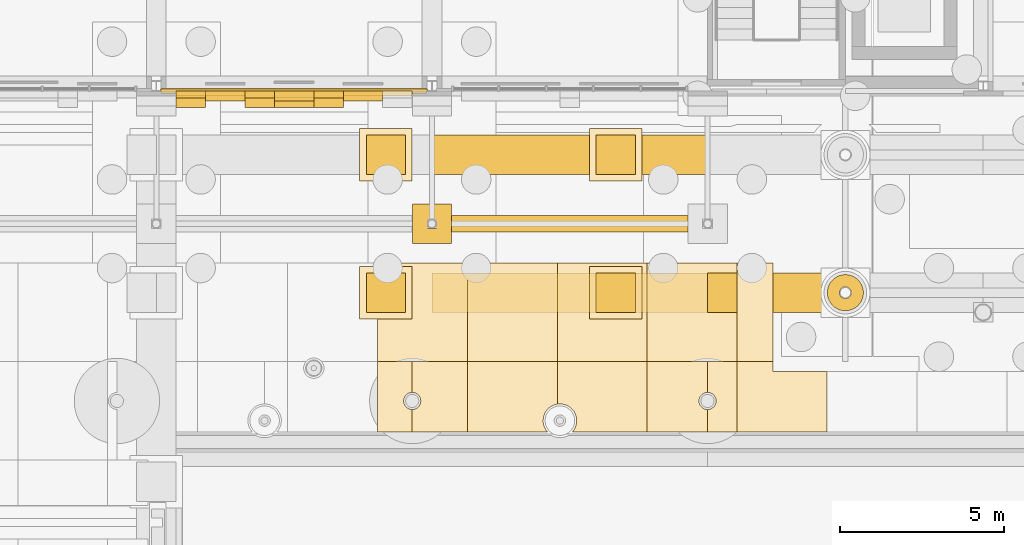
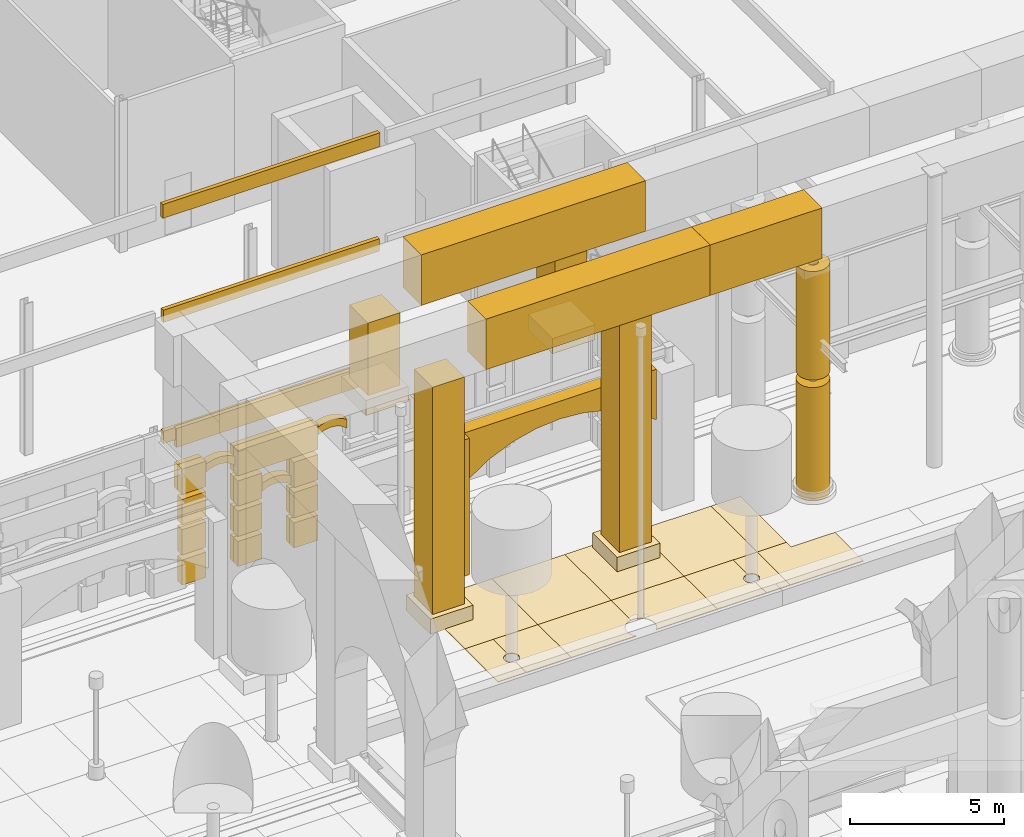
# One storey, part 118 of 222: 53 coverings.
"""IFC4 building model written with IfcOpenShell, lengths in metres."""

from ifc_helpers import new_model, si_unit, direction, frame, origin, origin_2d, place, context, subcontext, project, spatial, polyline, rectangle, hollow_rectangle, hollow_circle, outline, extrude, material, layer, layer_set, material_profile, profile_set, type_object, element, save


model = new_model("IFC4")

# Units and contexts
model_context = context("Model", 3, precision=1e-05, world=origin(), true_north=direction((0.0, 1.0)))
body_context = subcontext(model_context, "Body", "Model", "MODEL_VIEW")
ifc_project = project(units=[si_unit("LENGTHUNIT", "METRE"), si_unit("AREAUNIT", "SQUARE_METRE"), si_unit("VOLUMEUNIT", "CUBIC_METRE"), si_unit("PLANEANGLEUNIT", "RADIAN"), si_unit("MASSUNIT", "GRAM", prefix="KILO")], contexts=[model_context])

# Site, building, storey
site_placement = place(None, origin())
site = spatial("IfcSite", under=ifc_project, at=site_placement, CompositionType="ELEMENT")
building_placement = place(site_placement, origin())
building = spatial("IfcBuilding", under=site, at=building_placement, Name="Sava Quay Ferry Terminal", CompositionType="ELEMENT")
storey_placement = place(building_placement, origin())
storey = spatial("IfcBuildingStorey", under=building, at=storey_placement, Name="L00", CompositionType="ELEMENT", Elevation=0.0)

# Coverings
ifc_material_1 = material(Name="Limestone Mutalj ashlar", Category="masonry")
ifc_material_profile_1 = material_profile(ifc_material_1, hollow_rectangle(XDim=1.199951171875, YDim=1.199951171875, WallThickness=0.462890625, at=origin_2d()), Name="Arcade pier 1200")
ifc_profile_set_1 = profile_set([ifc_material_profile_1], Name="Limestone Mutalj ashlar")
covering_type_1 = type_object("IfcCoveringType", Name="Arcade pier 1200", PredefinedType="CLADDING", material=ifc_profile_set_1)
covering_1_placement = place(storey_placement, frame((33.60009765625, 21.0, 0.0), z_axis=(0.0, 0.0, 1.0), x_axis=(1.0, 0.0, 0.0)))
element("IfcCovering", 1, at=covering_1_placement, inside=storey, type_object=covering_type_1, Name="Arcade pier", PredefinedType="CLADDING", context=body_context, shape_type="SweptSolid", body=[
    extrude(hollow_rectangle(XDim=1.199951171875, YDim=1.199951171875, WallThickness=0.462890625, at=origin_2d()), origin(), (0.0, 0.0, 1.0), 5.39990234375),
])
ifc_material_2 = material(Name="Limestone Mutalj", Category="masonry")
ifc_layer_1 = layer(ifc_material_2, 0.300048828125)
ifc_layer_set_1 = layer_set([ifc_layer_1], Name="Limestone Mutalj")
covering_type_2 = type_object("IfcCoveringType", Name="Arch band 280", PredefinedType="MOLDING", material=ifc_layer_set_1)
covering_2_placement = place(storey_placement, frame((28.800048828125, 24.739990234375, 2.39990234375), z_axis=(0.0, -1.0, 0.0), x_axis=(0.766042844353, 0.0, 0.642789515017)))
element("IfcCovering", 2, at=covering_2_placement, inside=storey, type_object=covering_type_2, Name="Arch band", PredefinedType="MOLDING", context=body_context, shape_type="SweptSolid", body=[
    extrude(outline(polyline([(0.0, 0.0), (0.1564834757725232, 0.0), (0.29290987034562144, -0.02428279209876255), (0.4140838634817109, -0.06636278232810475), (0.522890396081421, -0.12356147789515273), (0.6202108720586751, -0.19406883930165053), (0.706733197838947, -0.2778246842578833), (0.781769466996763, -0.374889195053566), (0.8444382756181996, -0.4870724111869544), (0.8918546828026273, -0.6170528254509224), (0.9192140087876302, -0.771316031813653), (1.14849024937354, -0.4980766285911245), (1.098846716569099, -0.3703705716175788), (1.0380911714997962, -0.2562870425513622), (0.9674188801474346, -0.15364195753662468), (0.8881454730732465, -0.0616270455684631), (0.8002107679875174, 0.020445599778596002), (0.7043026713157206, 0.09263616079426751), (0.5997332766323826, 0.15488445518883656), (0.48656276622721817, 0.20650257653682963), (0.3634755095389949, 0.24668225383334366), (0.2292762405859099, 0.27323940322252854), (0.0, 0.0)])), origin(), (0.0, 0.0, -1.0), 0.300048828125),
])
covering_3_placement = place(storey_placement, frame((26.699951171875, 24.739990234375, 3.89990234375), z_axis=(0.0, -1.0, 0.0), x_axis=(0.766686318179, 0.0, 0.642021876199)))
element("IfcCovering", 3, at=covering_3_placement, inside=storey, type_object=covering_type_2, Name="Arch band", PredefinedType="MOLDING", context=body_context, shape_type="SweptSolid", body=[
    extrude(outline(polyline([(0.0, 0.0), (0.15667057654730215, -1.3877787807814457e-17), (0.29293404656438327, -0.02398938309786766), (0.414337308134961, -0.06610472040016957), (0.5230139006591377, -0.1230376562322823), (0.6205921316676617, -0.19360424362325043), (0.7070111298509724, -0.2771166367750381), (0.7823317665186302, -0.3742626814856812), (0.844925734139887, -0.48622632472613514), (0.8926594933146406, -0.6163159221710233), (0.919986145959173, -0.7703949027137791), (1.1489885778747033, -0.49692597916416525), (1.0994043308893047, -0.3694264559410845), (1.0383473638344554, -0.2552470970326215), (0.9677594714851411, -0.1528295969140227), (0.8882067570202763, -0.06073739267965583), (0.8003770662378966, 0.021090386980039788), (0.7042095278284416, 0.09334158786309998), (0.5997650131014718, 0.15532836417148896), (0.4863556762589516, 0.20698984459564596), (0.3634154141219664, 0.2468894662299388), (0.22900243191553027, 0.27346892354961383), (0.0, 0.0)])), origin(), (0.0, 0.0, -1.0), 0.300048828125),
])
covering_4_placement = place(storey_placement, frame((30.89990234375, 24.739990234375, 3.89990234375), z_axis=(0.0, -1.0, 0.0), x_axis=(0.766686318179, 0.0, 0.642021876199)))
element("IfcCovering", 4, at=covering_4_placement, inside=storey, type_object=covering_type_2, Name="Arch band", PredefinedType="MOLDING", context=body_context, shape_type="SweptSolid", body=[
    extrude(outline(polyline([(0.0, 0.0), (0.15667057654730215, -1.3877787807814457e-17), (0.29293404656438327, -0.02398938309786766), (0.414337308134961, -0.06610472040016957), (0.5230139006591377, -0.1230376562322823), (0.6205921316676617, -0.19360424362325043), (0.7071983091278714, -0.2772733803971569), (0.7823317665186302, -0.3742626814856812), (0.8451129134167863, -0.48638306834825396), (0.8926594933146406, -0.6163159221710233), (0.9201733252360722, -0.7705516463358979), (1.1491757571516024, -0.49708272278628407), (1.0994043308893047, -0.3694264559410845), (1.0385345431113546, -0.2554038406547403), (0.9677594714851411, -0.1528295969140227), (0.8883939362971753, -0.06089413630177459), (0.8003770662378966, 0.021090386980039788), (0.7042095278284416, 0.09334158786309998), (0.5997650131014718, 0.15532836417148896), (0.4863556762589516, 0.20698984459564596), (0.3634154141219664, 0.2468894662299388), (0.22900243191553027, 0.27346892354961383), (0.0, 0.0)])), origin(), (0.0, 0.0, -1.0), 0.300048828125),
])
ifc_material_3 = material(Name="Limestone Mutalj", Category="masonry")
ifc_layer_2 = layer(ifc_material_3, 0.5)
ifc_layer_set_2 = layer_set([ifc_layer_2], Name="Limestone Mutalj")
covering_type_3 = type_object("IfcCoveringType", Name="Arch spandrel 500", PredefinedType="CLADDING", material=ifc_layer_set_2)
covering_5_placement = place(storey_placement, frame((34.199951171875, 20.75, 3.39990234375), z_axis=(0.0, -1.0, 0.0), x_axis=(0.82736032354, 0.0, 0.561671518801)))
element("IfcCovering", 5, at=covering_5_placement, inside=storey, type_object=covering_type_3, Name="Arch spandrel", PredefinedType="CLADDING", context=body_context, shape_type="SweptSolid", body=[
    extrude(outline(polyline([(0.0, 0.0), (1.0879739561645294, 0.0), (2.0537030363386926, -0.1796359903397191), (2.9234433315614914, -0.5006665672218591), (3.7087783614579344, -0.9464634993634635), (4.412732312386162, -1.5117027264310134), (5.0322809979880345, -2.2017083087580276), (5.555638906372053, -3.032971350791818), (5.956953931032196, -4.044007510000973), (7.080296968634446, -2.389286862921669), (1.1233430376022504, 1.6547206470793037), (0.0, 0.0)])), origin(), (0.0, 0.0, -1.0), 0.5),
])
ifc_material_4 = material(Name="Limestone Mutalj", Category="masonry")
ifc_layer_3 = layer(ifc_material_4, 0.030029296875)
ifc_layer_set_3 = layer_set([ifc_layer_3], Name="Limestone Mutalj")
covering_type_4 = type_object("IfcCoveringType", Name="Court paving tile 30", PredefinedType="FLOORING", material=ifc_layer_set_3)
covering_6_placement = place(storey_placement, origin())
element("IfcCovering", 6, at=covering_6_placement, inside=storey, type_object=covering_type_4, Name="Limestone paving tile", PredefinedType="FLOORING", context=body_context, shape_type="SweptSolid", body=[
    extrude(outline(polyline([(34.679931640625, 16.800048828125), (34.679931640625, 19.800048828125), (31.93994140625, 19.800048828125), (31.93994140625, 16.800048828125), (34.679931640625, 16.800048828125)])), origin(), (0.0, 0.0, 1.0), 0.030029296875),
])
covering_7_placement = place(storey_placement, origin())
element("IfcCovering", 7, at=covering_7_placement, inside=storey, type_object=covering_type_4, Name="Limestone paving tile", PredefinedType="FLOORING", context=body_context, shape_type="SweptSolid", body=[
    extrude(outline(polyline([(40.159912109375, 16.800048828125), (40.159912109375, 19.800048828125), (37.419921875, 19.800048828125), (37.419921875, 16.800048828125), (40.159912109375, 16.800048828125)])), origin(), (0.0, 0.0, 1.0), 0.030029296875),
])
covering_8_placement = place(storey_placement, origin())
element("IfcCovering", 8, at=covering_8_placement, inside=storey, type_object=covering_type_4, Name="Limestone paving tile", PredefinedType="FLOORING", context=body_context, shape_type="SweptSolid", body=[
    extrude(outline(polyline([(44.0, 19.800048828125), (42.89990234375, 19.800048828125), (42.89990234375, 16.800048828125), (44.0, 16.800048828125), (44.0, 19.800048828125)])), origin(), (0.0, 0.0, 1.0), 0.030029296875),
])
covering_9_placement = place(storey_placement, origin())
element("IfcCovering", 9, at=covering_9_placement, inside=storey, type_object=covering_type_4, Name="Limestone paving tile", PredefinedType="FLOORING", context=body_context, shape_type="SweptSolid", body=[
    extrude(outline(polyline([(34.679931640625, 16.800048828125), (34.679931640625, 14.64990234375), (37.1298828125, 14.64990234375), (37.10595703125, 14.676025390625), (37.075927734375, 14.716064453125), (37.050048828125, 14.759033203125), (37.029052734375, 14.804931640625), (37.011962890625, 14.85205078125), (37.0, 14.90087890625), (36.991943359375, 14.950927734375), (36.989990234375, 15.0), (36.992919921875, 15.050048828125), (37.0, 15.10009765625), (37.011962890625, 15.14794921875), (37.029052734375, 15.195068359375), (37.050048828125, 15.240966796875), (37.075927734375, 15.283935546875), (37.10595703125, 15.323974609375), (37.139892578125, 15.361083984375), (37.177001953125, 15.39501953125), (37.216064453125, 15.424072265625), (37.259033203125, 15.449951171875), (37.303955078125, 15.470947265625), (37.35107421875, 15.488037109375), (37.39990234375, 15.5), (37.419921875, 15.5029296875), (37.419921875, 16.800048828125), (34.679931640625, 16.800048828125)])), origin(), (0.0, 0.0, 1.0), 0.030029296875),
])
covering_10_placement = place(storey_placement, origin())
element("IfcCovering", 10, at=covering_10_placement, inside=storey, type_object=covering_type_4, Name="Limestone paving tile", PredefinedType="FLOORING", context=body_context, shape_type="SweptSolid", body=[
    extrude(outline(polyline([(42.0, 15.860107421875), (42.0, 16.800048828125), (40.159912109375, 16.800048828125), (40.159912109375, 14.64990234375), (42.0, 14.64990234375), (42.0, 15.340087890625), (41.97412109375, 15.341064453125), (41.948974609375, 15.344970703125), (41.924072265625, 15.35107421875), (41.89990234375, 15.360107421875), (41.876953125, 15.37109375), (41.85498046875, 15.384033203125), (41.8349609375, 15.39892578125), (41.81591796875, 15.4169921875), (41.799072265625, 15.43505859375), (41.783935546875, 15.4560546875), (41.77001953125, 15.47802734375), (41.760009765625, 15.5009765625), (41.7509765625, 15.52490234375), (41.7451171875, 15.550048828125), (41.740966796875, 15.574951171875), (41.739990234375, 15.60009765625), (41.740966796875, 15.6259765625), (41.7451171875, 15.65087890625), (41.7509765625, 15.676025390625), (41.760009765625, 15.699951171875), (41.77099609375, 15.722900390625), (41.783935546875, 15.7451171875), (41.799072265625, 15.764892578125), (41.81689453125, 15.783935546875), (41.8349609375, 15.801025390625), (41.85595703125, 15.81591796875), (41.8779296875, 15.830078125), (41.90087890625, 15.840087890625), (41.925048828125, 15.84912109375), (41.949951171875, 15.85498046875), (41.97509765625, 15.85888671875), (42.0, 15.860107421875)])), origin(), (0.0, 0.0, 1.0), 0.030029296875),
])
covering_11_placement = place(storey_placement, origin())
element("IfcCovering", 11, at=covering_11_placement, inside=storey, type_object=covering_type_4, Name="Limestone paving tile", PredefinedType="FLOORING", context=body_context, shape_type="SweptSolid", body=[
    extrude(outline(polyline([(42.89990234375, 14.64990234375), (42.89990234375, 16.800048828125), (42.0, 16.800048828125), (42.0, 15.860107421875), (42.02587890625, 15.85888671875), (42.051025390625, 15.85498046875), (42.075927734375, 15.84912109375), (42.10009765625, 15.840087890625), (42.123046875, 15.8291015625), (42.14501953125, 15.81591796875), (42.1650390625, 15.801025390625), (42.18408203125, 15.782958984375), (42.200927734375, 15.764892578125), (42.216064453125, 15.743896484375), (42.22998046875, 15.721923828125), (42.239990234375, 15.698974609375), (42.2490234375, 15.675048828125), (42.2548828125, 15.64990234375), (42.259033203125, 15.625), (42.260009765625, 15.60009765625), (42.259033203125, 15.573974609375), (42.2548828125, 15.549072265625), (42.2490234375, 15.52392578125), (42.239990234375, 15.5), (42.22900390625, 15.47705078125), (42.216064453125, 15.455078125), (42.200927734375, 15.43505859375), (42.18310546875, 15.416015625), (42.1650390625, 15.39892578125), (42.14404296875, 15.384033203125), (42.1220703125, 15.3701171875), (42.09912109375, 15.360107421875), (42.074951171875, 15.35107421875), (42.050048828125, 15.344970703125), (42.02490234375, 15.341064453125), (42.0, 15.340087890625), (42.0, 14.64990234375), (42.89990234375, 14.64990234375)])), origin(), (0.0, 0.0, 1.0), 0.030029296875),
])
ifc_material_5 = material(Name="Red sandstone Vrsac", Category="masonry")
ifc_layer_4 = layer(ifc_material_5, 0.030029296875)
ifc_layer_set_4 = layer_set([ifc_layer_4], Name="Red sandstone Vrsac")
covering_type_5 = type_object("IfcCoveringType", Name="Court paving tile sandstone 30", PredefinedType="FLOORING", material=ifc_layer_set_4)
covering_12_placement = place(storey_placement, origin())
element("IfcCovering", 12, at=covering_12_placement, inside=storey, type_object=covering_type_5, Name="Sandstone paving tile", PredefinedType="FLOORING", context=body_context, shape_type="SweptSolid", body=[
    extrude(outline(polyline([(37.419921875, 16.800048828125), (37.419921875, 19.800048828125), (34.679931640625, 19.800048828125), (34.679931640625, 16.800048828125), (37.419921875, 16.800048828125)])), origin(), (0.0, 0.0, 1.0), 0.030029296875),
])
covering_13_placement = place(storey_placement, origin())
element("IfcCovering", 13, at=covering_13_placement, inside=storey, type_object=covering_type_5, Name="Sandstone paving tile", PredefinedType="FLOORING", context=body_context, shape_type="SweptSolid", body=[
    extrude(outline(polyline([(42.89990234375, 16.800048828125), (42.89990234375, 19.800048828125), (40.159912109375, 19.800048828125), (40.159912109375, 16.800048828125), (42.89990234375, 16.800048828125)])), origin(), (0.0, 0.0, 1.0), 0.030029296875),
])
covering_14_placement = place(storey_placement, origin())
element("IfcCovering", 14, at=covering_14_placement, inside=storey, type_object=covering_type_5, Name="Sandstone paving tile", PredefinedType="FLOORING", context=body_context, shape_type="SweptSolid", body=[
    extrude(outline(polyline([(33.0, 15.860107421875), (33.0, 16.800048828125), (31.93994140625, 16.800048828125), (31.93994140625, 14.64990234375), (33.0, 14.64990234375), (33.0, 15.340087890625), (32.97412109375, 15.341064453125), (32.948974609375, 15.344970703125), (32.924072265625, 15.35107421875), (32.89990234375, 15.360107421875), (32.876953125, 15.37109375), (32.85498046875, 15.384033203125), (32.8349609375, 15.39892578125), (32.81591796875, 15.4169921875), (32.799072265625, 15.43505859375), (32.783935546875, 15.4560546875), (32.77001953125, 15.47802734375), (32.760009765625, 15.5009765625), (32.7509765625, 15.52490234375), (32.7451171875, 15.550048828125), (32.740966796875, 15.574951171875), (32.739990234375, 15.60009765625), (32.740966796875, 15.6259765625), (32.7451171875, 15.65087890625), (32.7509765625, 15.676025390625), (32.760009765625, 15.699951171875), (32.77099609375, 15.722900390625), (32.783935546875, 15.7451171875), (32.799072265625, 15.764892578125), (32.81689453125, 15.783935546875), (32.8349609375, 15.801025390625), (32.85595703125, 15.81591796875), (32.8779296875, 15.830078125), (32.90087890625, 15.840087890625), (32.925048828125, 15.84912109375), (32.949951171875, 15.85498046875), (32.97509765625, 15.85888671875), (33.0, 15.860107421875)])), origin(), (0.0, 0.0, 1.0), 0.030029296875),
])
covering_15_placement = place(storey_placement, origin())
element("IfcCovering", 15, at=covering_15_placement, inside=storey, type_object=covering_type_5, Name="Sandstone paving tile", PredefinedType="FLOORING", context=body_context, shape_type="SweptSolid", body=[
    extrude(outline(polyline([(34.679931640625, 14.64990234375), (34.679931640625, 16.800048828125), (33.0, 16.800048828125), (33.0, 15.860107421875), (33.02587890625, 15.85888671875), (33.051025390625, 15.85498046875), (33.075927734375, 15.84912109375), (33.10009765625, 15.840087890625), (33.123046875, 15.8291015625), (33.14501953125, 15.81591796875), (33.1650390625, 15.801025390625), (33.18408203125, 15.782958984375), (33.200927734375, 15.764892578125), (33.216064453125, 15.743896484375), (33.22998046875, 15.721923828125), (33.239990234375, 15.698974609375), (33.2490234375, 15.675048828125), (33.2548828125, 15.64990234375), (33.259033203125, 15.625), (33.260009765625, 15.60009765625), (33.259033203125, 15.573974609375), (33.2548828125, 15.549072265625), (33.2490234375, 15.52392578125), (33.239990234375, 15.5), (33.22900390625, 15.47705078125), (33.216064453125, 15.455078125), (33.200927734375, 15.43505859375), (33.18310546875, 15.416015625), (33.1650390625, 15.39892578125), (33.14404296875, 15.384033203125), (33.1220703125, 15.3701171875), (33.09912109375, 15.360107421875), (33.074951171875, 15.35107421875), (33.050048828125, 15.344970703125), (33.02490234375, 15.341064453125), (33.0, 15.340087890625), (33.0, 14.64990234375), (34.679931640625, 14.64990234375)])), origin(), (0.0, 0.0, 1.0), 0.030029296875),
])
covering_16_placement = place(storey_placement, origin())
element("IfcCovering", 16, at=covering_16_placement, inside=storey, type_object=covering_type_5, Name="Sandstone paving tile", PredefinedType="FLOORING", context=body_context, shape_type="SweptSolid", body=[
    extrude(outline(polyline([(40.159912109375, 16.800048828125), (37.419921875, 16.800048828125), (37.419921875, 15.5029296875), (37.450927734375, 15.508056640625), (37.5, 15.510009765625), (37.549072265625, 15.508056640625), (37.59912109375, 15.5), (37.64794921875, 15.488037109375), (37.695068359375, 15.470947265625), (37.739990234375, 15.449951171875), (37.783935546875, 15.424072265625), (37.823974609375, 15.39404296875), (37.861083984375, 15.360107421875), (37.89501953125, 15.322998046875), (37.924072265625, 15.283935546875), (37.949951171875, 15.240966796875), (37.970947265625, 15.196044921875), (37.988037109375, 15.14892578125), (38.0, 15.10009765625), (38.008056640625, 15.049072265625), (38.010009765625, 15.0), (38.007080078125, 14.949951171875), (38.0, 14.89990234375), (37.988037109375, 14.85107421875), (37.970947265625, 14.803955078125), (37.949951171875, 14.759033203125), (37.924072265625, 14.716064453125), (37.89501953125, 14.677001953125), (37.8701171875, 14.64990234375), (40.159912109375, 14.64990234375), (40.159912109375, 16.800048828125)])), origin(), (0.0, 0.0, 1.0), 0.030029296875),
])
covering_17_placement = place(storey_placement, origin())
element("IfcCovering", 17, at=covering_17_placement, inside=storey, type_object=covering_type_5, Name="Sandstone paving tile", PredefinedType="FLOORING", context=body_context, shape_type="SweptSolid", body=[
    extrude(outline(polyline([(42.89990234375, 16.800048828125), (42.89990234375, 14.64990234375), (45.639892578125, 14.64990234375), (45.639892578125, 16.5), (44.0, 16.5), (44.0, 16.800048828125), (42.89990234375, 16.800048828125)])), origin(), (0.0, 0.0, 1.0), 0.030029296875),
])
ifc_material_6 = material(Name="Limestone Mutalj ashlar", Category="masonry")
ifc_material_profile_2 = material_profile(ifc_material_6, hollow_circle(Radius=0.550048828125, WallThickness=0.37158203125, at=origin_2d()), Name="Stone shaft D1100")
ifc_profile_set_2 = profile_set([ifc_material_profile_2], Name="Limestone Mutalj ashlar")
covering_type_6 = type_object("IfcCoveringType", Name="Giant-order stone shaft D1100", PredefinedType="CLADDING", material=ifc_profile_set_2)
covering_18_placement = place(storey_placement, frame((46.199951171875, 18.89990234375, 0.0), z_axis=(0.0, 0.0, 1.0), x_axis=(1.0, 0.0, 0.0)))
element("IfcCovering", 18, at=covering_18_placement, inside=storey, type_object=covering_type_6, Name="Giant-order column shaft", PredefinedType="CLADDING", context=body_context, shape_type="SweptSolid", body=[
    extrude(hollow_circle(Radius=0.550048828125, WallThickness=0.37158203125, at=origin_2d()), origin(), (0.0, 0.0, 1.0), 4.5),
])
covering_19_placement = place(storey_placement, frame((46.199951171875, 18.89990234375, 4.800048828125), z_axis=(0.0, 0.0, 1.0), x_axis=(1.0, 0.0, 0.0)))
element("IfcCovering", 19, at=covering_19_placement, inside=storey, type_object=covering_type_6, Name="Giant-order column shaft", PredefinedType="CLADDING", context=body_context, shape_type="SweptSolid", body=[
    extrude(hollow_circle(Radius=0.550048828125, WallThickness=0.37158203125, at=origin_2d()), origin(), (0.0, 0.0, 1.0), 4.300048828125),
])
ifc_material_7 = material(Name="Limestone Mutalj", Category="masonry")
ifc_layer_5 = layer(ifc_material_7, 0.14990234375)
ifc_layer_set_5 = layer_set([ifc_layer_5], Name="Limestone Mutalj")
covering_type_7 = type_object("IfcCoveringType", Name="Limestone string course 150", PredefinedType="CLADDING", material=ifc_layer_set_5)
covering_20_placement = place(storey_placement, frame((0.0, 0.0, 5.25)))
element("IfcCovering", 20, at=covering_20_placement, inside=storey, type_object=covering_type_7, Name="String course W-S", PredefinedType="CLADDING", context=body_context, shape_type="SweptSolid", body=[
    extrude(outline(polyline([(25.800048828125, 25.0400390625), (33.0, 25.0400390625), (33.0, 24.889892578125), (25.800048828125, 24.889892578125), (25.800048828125, 25.0400390625)])), origin(), (0.0, 0.0, 1.0), 0.75),
])
ifc_material_8 = material(Name="Limestone Mutalj", Category="masonry")
ifc_layer_6 = layer(ifc_material_8, 2.0)
ifc_layer_set_6 = layer_set([ifc_layer_6], Name="Limestone Mutalj")
covering_type_8 = type_object("IfcCoveringType", Name="Portico entablature 2000", PredefinedType="CLADDING", material=ifc_layer_set_6)
covering_21_placement = place(storey_placement, frame((37.800048828125, 18.89990234375, 9.60009765625), z_axis=(0.0, 0.0, 1.0), x_axis=(1.0, 0.0, 0.0)))
element("IfcCovering", 21, at=covering_21_placement, inside=storey, type_object=covering_type_8, Name="Portico entablature", PredefinedType="CLADDING", context=body_context, shape_type="SweptSolid", body=[
    extrude(rectangle(XDim=8.39990234375, YDim=1.199951171875, at=origin_2d()), origin(), (0.0, 0.0, 1.0), 2.0),
])
covering_22_placement = place(storey_placement, frame((44.10009765625, 18.89990234375, 9.60009765625), z_axis=(0.0, 0.0, 1.0), x_axis=(1.0, 0.0, 0.0)))
element("IfcCovering", 22, at=covering_22_placement, inside=storey, type_object=covering_type_8, Name="Portico entablature", PredefinedType="CLADDING", context=body_context, shape_type="SweptSolid", body=[
    extrude(rectangle(XDim=4.199951171875, YDim=1.199951171875, at=origin_2d()), origin(), (0.0, 0.0, 1.0), 2.0),
])
covering_23_placement = place(storey_placement, frame((37.800048828125, 23.10009765625, 9.60009765625), z_axis=(0.0, 0.0, 1.0), x_axis=(1.0, 0.0, 0.0)))
element("IfcCovering", 23, at=covering_23_placement, inside=storey, type_object=covering_type_8, Name="Portico entablature", PredefinedType="CLADDING", context=body_context, shape_type="SweptSolid", body=[
    extrude(rectangle(XDim=8.39990234375, YDim=1.199951171875, at=origin_2d()), origin(), (0.0, 0.0, 1.0), 2.0),
])
ifc_material_9 = material(Name="Limestone Mutalj", Category="masonry")
ifc_layer_7 = layer(ifc_material_9, 1.199951171875)
ifc_layer_set_7 = layer_set([ifc_layer_7], Name="Limestone Mutalj")
covering_type_9 = type_object("IfcCoveringType", Name="Return pier 1200", PredefinedType="CLADDING", material=ifc_layer_set_7)
covering_24_placement = place(storey_placement, frame((32.199951171875, 18.89990234375, 0.60009765625), z_axis=(0.0, 0.0, 1.0), x_axis=(1.0, 0.0, 0.0)))
element("IfcCovering", 24, at=covering_24_placement, inside=storey, type_object=covering_type_9, Name="Return pier", PredefinedType="CLADDING", context=body_context, shape_type="SweptSolid", body=[
    extrude(rectangle(XDim=1.199951171875, YDim=1.199951171875, at=origin_2d()), origin(), (0.0, 0.0, 1.0), 9.0),
])
covering_25_placement = place(storey_placement, frame((32.199951171875, 23.10009765625, 6.719970703125), z_axis=(0.0, 0.0, 1.0), x_axis=(1.0, 0.0, 0.0)))
element("IfcCovering", 25, at=covering_25_placement, inside=storey, type_object=covering_type_9, Name="Return pier", PredefinedType="CLADDING", context=body_context, shape_type="SweptSolid", body=[
    extrude(rectangle(XDim=1.199951171875, YDim=1.199951171875, at=origin_2d()), origin(), (0.0, 0.0, 1.0), 2.8798828125),
])
covering_26_placement = place(storey_placement, frame((39.199951171875, 18.89990234375, 0.60009765625), z_axis=(0.0, 0.0, 1.0), x_axis=(1.0, 0.0, 0.0)))
element("IfcCovering", 26, at=covering_26_placement, inside=storey, type_object=covering_type_9, Name="Return pier", PredefinedType="CLADDING", context=body_context, shape_type="SweptSolid", body=[
    extrude(rectangle(XDim=1.199951171875, YDim=1.199951171875, at=origin_2d()), origin(), (0.0, 0.0, 1.0), 9.0),
])
covering_27_placement = place(storey_placement, frame((39.199951171875, 23.10009765625, 6.719970703125), z_axis=(0.0, 0.0, 1.0), x_axis=(1.0, 0.0, 0.0)))
element("IfcCovering", 27, at=covering_27_placement, inside=storey, type_object=covering_type_9, Name="Return pier", PredefinedType="CLADDING", context=body_context, shape_type="SweptSolid", body=[
    extrude(rectangle(XDim=1.199951171875, YDim=1.199951171875, at=origin_2d()), origin(), (0.0, 0.0, 1.0), 2.8798828125),
])
ifc_material_10 = material(Name="Limestone Mutalj", Category="masonry")
ifc_layer_8 = layer(ifc_material_10, 1.60009765625)
ifc_layer_set_8 = layer_set([ifc_layer_8], Name="Limestone Mutalj")
covering_type_10 = type_object("IfcCoveringType", Name="Return pier base 1600", PredefinedType="MOLDING", material=ifc_layer_set_8)
for number, where, z_axis, x_axis, name in (
    (28, (32.199951171875, 18.89990234375, 0.0), (0.0, 0.0, 1.0), (1.0, 0.0, 0.0), "Return pier base"),
    (29, (32.199951171875, 23.10009765625, 6.119873046875), (0.0, 0.0, 1.0), (1.0, 0.0, 0.0), "Return pier base"),
    (30, (39.199951171875, 18.89990234375, 0.0), (0.0, 0.0, 1.0), (1.0, 0.0, 0.0), "Return pier base"),
    (31, (39.199951171875, 23.10009765625, 6.119873046875), (0.0, 0.0, 1.0), (1.0, 0.0, 0.0), "Return pier base"),
):
    element("IfcCovering", number, at=place(storey_placement, frame(where, z_axis=z_axis, x_axis=x_axis)), inside=storey, type_object=covering_type_10, Name=name, PredefinedType="MOLDING", context=body_context, shape_type="SweptSolid", body=[
        extrude(rectangle(XDim=1.60009765625, YDim=1.60009765625, at=origin_2d()), origin(), (0.0, 0.0, 1.0), 0.60009765625),
    ])
ifc_material_11 = material(Name="Limestone Mutalj", Category="masonry")
ifc_layer_9 = layer(ifc_material_11, 0.300048828125)
ifc_layer_set_9 = layer_set([ifc_layer_9], Name="Limestone Mutalj")
covering_type_11 = type_object("IfcCoveringType", Name="Rusticated course deepening 300", PredefinedType="CLADDING", material=ifc_layer_set_9)
for number, where, z_axis, x_axis, name in (
    (32, (26.25, 24.68994140625, 0.0), (0.0, 0.0, 1.0), (1.0, 0.0, 0.0), "Rusticated course deepening"),
    (33, (28.35009765625, 24.68994140625, 0.0), (0.0, 0.0, 1.0), (1.0, 0.0, 0.0), "Rusticated course deepening"),
    (34, (30.449951171875, 24.68994140625, 0.0), (0.0, 0.0, 1.0), (1.0, 0.0, 0.0), "Rusticated course deepening"),
    (35, (26.25, 24.68994140625, 1.199951171875), (0.0, 0.0, 1.0), (1.0, 0.0, 0.0), "Rusticated course deepening"),
    (36, (28.35009765625, 24.68994140625, 1.199951171875), (0.0, 0.0, 1.0), (1.0, 0.0, 0.0), "Rusticated course deepening"),
    (37, (30.449951171875, 24.68994140625, 1.199951171875), (0.0, 0.0, 1.0), (1.0, 0.0, 0.0), "Rusticated course deepening"),
    (38, (26.25, 24.68994140625, 2.39990234375), (0.0, 0.0, 1.0), (1.0, 0.0, 0.0), "Rusticated course deepening"),
    (39, (28.35009765625, 24.68994140625, 2.39990234375), (0.0, 0.0, 1.0), (1.0, 0.0, 0.0), "Rusticated course deepening"),
    (40, (30.449951171875, 24.68994140625, 2.39990234375), (0.0, 0.0, 1.0), (1.0, 0.0, 0.0), "Rusticated course deepening"),
    (41, (26.25, 24.68994140625, 3.60009765625), (0.0, 0.0, 1.0), (1.0, 0.0, 0.0), "Rusticated course deepening"),
):
    element("IfcCovering", number, at=place(storey_placement, frame(where, z_axis=z_axis, x_axis=x_axis)), inside=storey, type_object=covering_type_11, Name=name, PredefinedType="CLADDING", context=body_context, shape_type="SweptSolid", body=[
        extrude(rectangle(XDim=0.89990234375, YDim=0.300048828125, at=origin_2d()), origin(), (0.0, 0.0, 1.0), 1.0),
    ])
covering_28_placement = place(storey_placement, frame((29.39990234375, 24.68994140625, 3.60009765625), z_axis=(0.0, 0.0, 1.0), x_axis=(1.0, 0.0, 0.0)))
element("IfcCovering", 42, at=covering_28_placement, inside=storey, type_object=covering_type_11, Name="Rusticated course deepening", PredefinedType="CLADDING", context=body_context, shape_type="SweptSolid", body=[
    extrude(rectangle(XDim=3.0, YDim=0.300048828125, at=origin_2d()), origin(), (0.0, 0.0, 1.0), 1.0),
])
ifc_material_12 = material(Name="Limestone Mutalj", Category="masonry")
ifc_layer_10 = layer(ifc_material_12, 0.199951171875)
ifc_layer_set_10 = layer_set([ifc_layer_10], Name="Limestone Mutalj")
covering_type_12 = type_object("IfcCoveringType", Name="Rusticated wall course 200", PredefinedType="CLADDING", material=ifc_layer_set_10)
for number, where, z_axis, x_axis, name in (
    (43, (28.35009765625, 24.93994140625, 0.0), (0.0, 0.0, 1.0), (1.0, 0.0, 0.0), "Rusticated wall course"),
    (44, (30.449951171875, 24.93994140625, 0.0), (0.0, 0.0, 1.0), (1.0, 0.0, 0.0), "Rusticated wall course"),
    (45, (28.35009765625, 24.93994140625, 1.199951171875), (0.0, 0.0, 1.0), (1.0, 0.0, 0.0), "Rusticated wall course"),
    (46, (30.449951171875, 24.93994140625, 1.199951171875), (0.0, 0.0, 1.0), (1.0, 0.0, 0.0), "Rusticated wall course"),
    (47, (28.35009765625, 24.93994140625, 2.39990234375), (0.0, 0.0, 1.0), (1.0, 0.0, 0.0), "Rusticated wall course"),
    (48, (30.449951171875, 24.93994140625, 2.39990234375), (0.0, 0.0, 1.0), (1.0, 0.0, 0.0), "Rusticated wall course"),
    (49, (26.25, 24.93994140625, 3.60009765625), (0.0, 0.0, 1.0), (1.0, 0.0, 0.0), "Rusticated wall course"),
):
    element("IfcCovering", number, at=place(storey_placement, frame(where, z_axis=z_axis, x_axis=x_axis)), inside=storey, type_object=covering_type_12, Name=name, PredefinedType="CLADDING", context=body_context, shape_type="SweptSolid", body=[
        extrude(rectangle(XDim=0.89990234375, YDim=0.199951171875, at=origin_2d()), origin(), (0.0, 0.0, 1.0), 1.0),
    ])
covering_29_placement = place(storey_placement, frame((29.39990234375, 24.93994140625, 3.60009765625), z_axis=(0.0, 0.0, 1.0), x_axis=(1.0, 0.0, 0.0)))
element("IfcCovering", 50, at=covering_29_placement, inside=storey, type_object=covering_type_12, Name="Rusticated wall course", PredefinedType="CLADDING", context=body_context, shape_type="SweptSolid", body=[
    extrude(rectangle(XDim=3.0, YDim=0.199951171875, at=origin_2d()), origin(), (0.0, 0.0, 1.0), 1.0),
])
ifc_material_13 = material(Name="Limestone Mutalj", Category="masonry")
ifc_layer_11 = layer(ifc_material_13, 0.14990234375)
ifc_layer_set_11 = layer_set([ifc_layer_11], Name="Limestone Mutalj")
covering_type_13 = type_object("IfcCoveringType", Name="Slab edge fascia 150", PredefinedType="CLADDING", material=ifc_layer_set_11)
for number, where, name in (
    (51, (0.0, 0.0, 5.510009765625), "Slab edge fascia"),
    (52, (0.0, 0.0, 10.31005859375), "Slab edge fascia"),
):
    element("IfcCovering", number, at=place(storey_placement, frame(where)), inside=storey, type_object=covering_type_13, Name=name, PredefinedType="CLADDING", context=body_context, shape_type="SweptSolid", body=[
        extrude(outline(polyline([(33.449951171875, 25.116943359375), (25.35009765625, 25.116943359375), (25.35009765625, 24.967041015625), (33.449951171875, 24.967041015625), (33.449951171875, 25.116943359375)])), origin(), (0.0, 0.0, 1.0), 0.489990234375),
    ])
covering_30_placement = place(storey_placement, frame((0.0, 0.0, 14.449951171875)))
element("IfcCovering", 53, at=covering_30_placement, inside=storey, type_object=covering_type_13, Name="Slab edge fascia", PredefinedType="CLADDING", context=body_context, shape_type="SweptSolid", body=[
    extrude(outline(polyline([(33.469970703125, 25.112060546875), (25.330078125, 25.112060546875), (25.330078125, 24.9619140625), (33.469970703125, 24.9619140625), (33.469970703125, 25.112060546875)])), origin(), (0.0, 0.0, 1.0), 0.550048828125),
])

save(model, "model.ifc")
